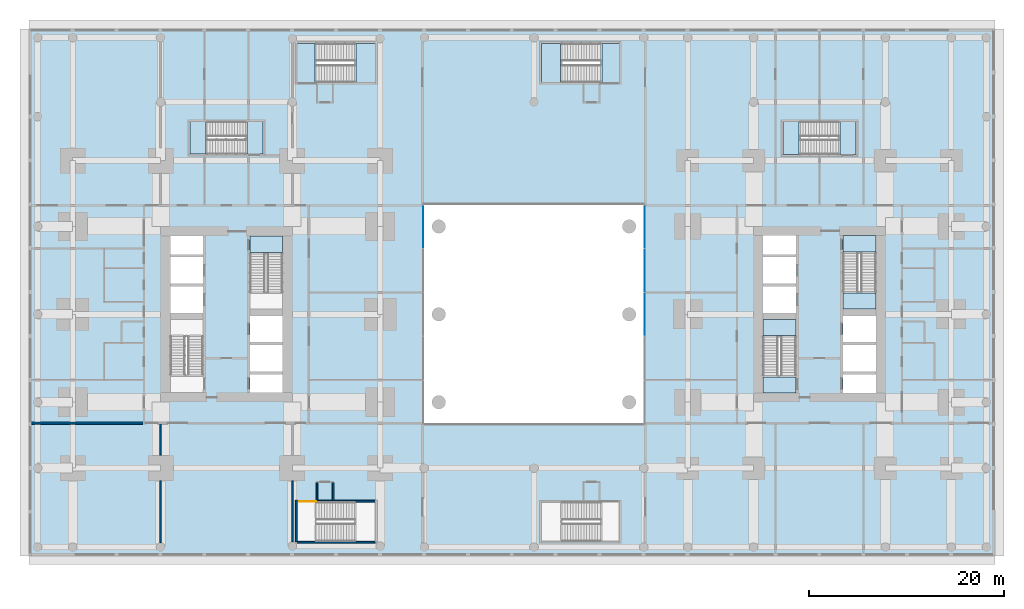
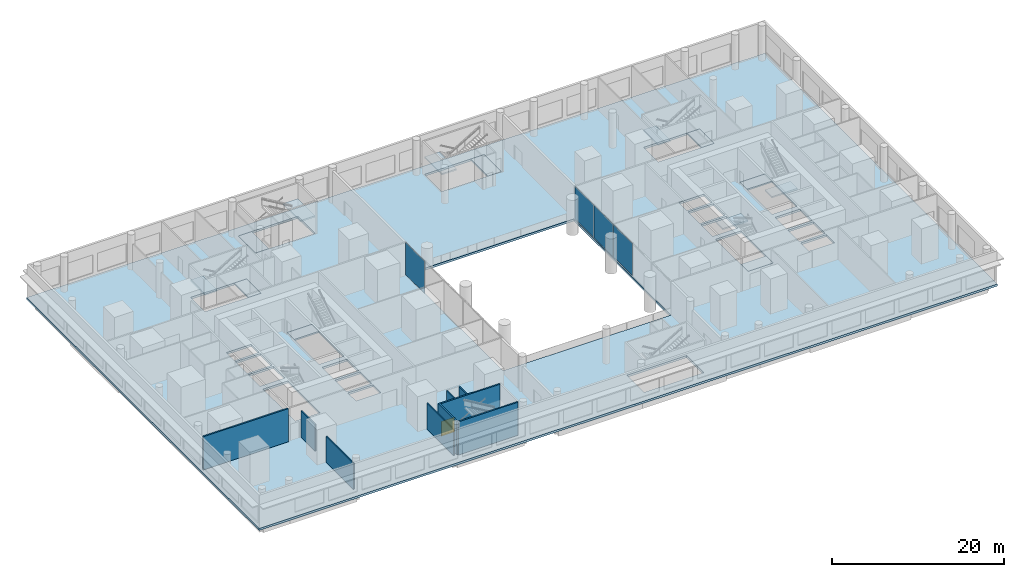
# One storey, part 8 of 21: 14 slabs, 9 walls, 4 plates, 1 door, 1 opening, 9 elements without a shape of their own.
"""IFC4 building model written with IfcOpenShell, lengths in metres."""

from ifc_helpers import new_model, si_unit, direction, frame, frame_2d, origin, origin_2d, place, context, subcontext, project, spatial, polyline, rectangle, outline, extrude, material, layer, layer_set, type_object, element, fill, aggregate, save


model = new_model("IFC4")

# Units and contexts
model_context = context("Model", 3, precision=1e-05, world=origin(), true_north=direction((0.0, 1.0)))
body_context = subcontext(model_context, "Body", "Model", "MODEL_VIEW")
ifc_project = project(units=[si_unit("LENGTHUNIT", "METRE"), si_unit("AREAUNIT", "SQUARE_METRE"), si_unit("VOLUMEUNIT", "CUBIC_METRE"), si_unit("PLANEANGLEUNIT", "RADIAN"), si_unit("MASSUNIT", "GRAM", prefix="KILO")], contexts=[model_context])

# Site, building, storey
site_placement = place(None, origin())
site = spatial("IfcSite", under=ifc_project, at=site_placement, CompositionType="ELEMENT")
building_placement = place(site_placement, origin())
building = spatial("IfcBuilding", under=site, at=building_placement, Name="Namib Vertical Campus", CompositionType="ELEMENT")
storey_placement = place(building_placement, frame((0.0, 0.0, 6.0)))
storey = spatial("IfcBuildingStorey", under=building, at=storey_placement, Name="L01", CompositionType="ELEMENT", Elevation=6.0)

# Curtain wall, plate
ifc_material_1 = material(Name="Black aluminium curtain wall", Category="aluminium")
ifc_layer_1 = layer(ifc_material_1, 0.199951171875)
ifc_layer_set_1 = layer_set([ifc_layer_1], Name="Atrium screen curtain wall CW-AT")
curtain_wall_type = type_object("IfcCurtainWallType", Name="Atrium screen curtain wall CW-AT", PredefinedType="USERDEFINED", material=ifc_layer_set_1)
curtain_wall_1_placement = place(storey_placement, origin())
curtain_wall_1 = element("IfcCurtainWall", 1, at=curtain_wall_1_placement, inside=storey, type_object=curtain_wall_type, Name="Curtain wall CW-AT atrium A L01 1", ObjectType="CURTAIN WALL", PredefinedType="USERDEFINED")
ifc_material_2 = material(Name="Dark tinted glass", Category="glass")
ifc_layer_2 = layer(ifc_material_2, 0.028076171875)
ifc_layer_set_2 = layer_set([ifc_layer_2], Name="Dark solar glass panel 28")
plate_type = type_object("IfcPlateType", Name="Dark solar glass panel 28", PredefinedType="CURTAIN_PANEL", material=ifc_layer_set_2)
plate_1_placement = place(storey_placement, frame((40.39990234375, 29.235107421875, 0.06005859375), z_axis=(0.0, 0.0, 1.0), x_axis=(0.0, 1.0, 0.0)))
plate_1 = element("IfcPlate", 2, at=plate_1_placement, type_object=plate_type, Name="CW-AT panel 5.1", PredefinedType="CURTAIN_PANEL", context=body_context, shape_type="SweptSolid", body=[
    extrude(rectangle(XDim=4.409912109375, YDim=0.028076171875, at=origin_2d()), origin(), (0.0, 0.0, 1.0), 4.580078125),
])
aggregate(curtain_wall_1, [plate_1])

# Curtain wall, plates
curtain_wall_2_placement = place(storey_placement, origin())
curtain_wall_2 = element("IfcCurtainWall", 3, at=curtain_wall_2_placement, inside=storey, type_object=curtain_wall_type, Name="Curtain wall CW-AT atrium B L01 1", ObjectType="CURTAIN WALL", PredefinedType="USERDEFINED")
plate_2_placement = place(storey_placement, frame((63.10009765625, 20.25, 0.06005859375), z_axis=(0.0, 0.0, 1.0), x_axis=(0.0, 1.0, 0.0)))
plate_2 = element("IfcPlate", 4, at=plate_2_placement, type_object=plate_type, Name="CW-AT panel 3.1", PredefinedType="CURTAIN_PANEL", context=body_context, shape_type="SweptSolid", body=[
    extrude(rectangle(XDim=4.43994140625, YDim=0.028076171875, at=origin_2d()), origin(), (0.0, 0.0, 1.0), 4.580078125),
])
plate_3_placement = place(storey_placement, frame((63.10009765625, 24.75, 0.06005859375), z_axis=(0.0, 0.0, 1.0), x_axis=(0.0, 1.0, 0.0)))
plate_3 = element("IfcPlate", 5, at=plate_3_placement, type_object=plate_type, Name="CW-AT panel 4.1", PredefinedType="CURTAIN_PANEL", context=body_context, shape_type="SweptSolid", body=[
    extrude(rectangle(XDim=4.43994140625, YDim=0.028076171875, at=origin_2d()), origin(), (0.0, 0.0, 1.0), 4.580078125),
])
plate_4_placement = place(storey_placement, frame((63.10009765625, 29.235107421875, 0.06005859375), z_axis=(0.0, 0.0, 1.0), x_axis=(0.0, 1.0, 0.0)))
plate_4 = element("IfcPlate", 6, at=plate_4_placement, type_object=plate_type, Name="CW-AT panel 5.1", PredefinedType="CURTAIN_PANEL", context=body_context, shape_type="SweptSolid", body=[
    extrude(rectangle(XDim=4.409912109375, YDim=0.028076171875, at=origin_2d()), origin(), (0.0, 0.0, 1.0), 4.580078125),
])
aggregate(curtain_wall_2, [plate_2, plate_3, plate_4])

# Slab
ifc_material_3 = material(Name="Concrete C40/50", Category="concrete")
ifc_layer_3 = layer(ifc_material_3, 0.300048828125)
ifc_layer_set_3 = layer_set([ifc_layer_3], Name="Concrete C40/50")
slab_type_1 = type_object("IfcSlabType", Name="Floor slab 300", PredefinedType="FLOOR", material=ifc_layer_set_3)
slab_1_placement = place(storey_placement, frame((0.0, 0.0, -0.300048828125)))
element("IfcSlab", 7, at=slab_1_placement, inside=storey, type_object=slab_type_1, Name="Floor slab L01", PredefinedType="FLOOR", context=body_context, shape_type="SweptSolid", body=[
    extrude(outline(polyline([(0.0, -4.5), (99.0, -4.5), (99.0, 49.5), (0.0, 49.5), (0.0, -4.5)]), holes=[polyline([(86.800048828125, 20.800048828125), (83.39990234375, 20.800048828125), (83.39990234375, 28.300048828125), (86.800048828125, 28.300048828125), (86.800048828125, 20.800048828125)]), polyline([(86.800048828125, 17.39990234375), (83.39990234375, 17.39990234375), (83.39990234375, 20.10009765625), (86.800048828125, 20.10009765625), (86.800048828125, 17.39990234375)]), polyline([(86.800048828125, 17.10009765625), (86.800048828125, 14.39990234375), (83.39990234375, 14.39990234375), (83.39990234375, 17.10009765625), (86.800048828125, 17.10009765625)]), polyline([(86.800048828125, 12.199951171875), (83.39990234375, 12.199951171875), (83.39990234375, 14.10009765625), (86.800048828125, 14.10009765625), (86.800048828125, 12.199951171875)]), polyline([(84.75, 36.60009765625), (77.25, 36.60009765625), (77.25, 40.0), (84.75, 40.0), (84.75, 36.60009765625)]), polyline([(78.60009765625, 28.300048828125), (78.60009765625, 26.39990234375), (75.199951171875, 26.39990234375), (75.199951171875, 28.300048828125), (78.60009765625, 28.300048828125)]), polyline([(78.60009765625, 23.39990234375), (75.199951171875, 23.39990234375), (75.199951171875, 26.10009765625), (78.60009765625, 26.10009765625), (78.60009765625, 23.39990234375)]), polyline([(78.60009765625, 23.10009765625), (78.60009765625, 20.39990234375), (75.199951171875, 20.39990234375), (75.199951171875, 23.10009765625), (78.60009765625, 23.10009765625)]), polyline([(78.60009765625, 12.199951171875), (75.199951171875, 12.199951171875), (75.199951171875, 19.699951171875), (78.60009765625, 19.699951171875), (78.60009765625, 12.199951171875)]), polyline([(63.0, 31.5), (63.0, 9.0), (40.5, 9.0), (40.5, 31.5), (63.0, 31.5)]), polyline([(60.5, -3.0), (52.5, -3.0), (52.5, 1.0), (60.5, 1.0), (60.5, -3.0)]), polyline([(60.5, 44.0), (52.5, 44.0), (52.5, 48.0), (60.5, 48.0), (60.5, 44.0)]), polyline([(35.5, 48.0), (35.5, 44.0), (27.5, 44.0), (27.5, 48.0), (35.5, 48.0)]), polyline([(35.5, 1.0), (35.5, -3.0), (27.5, -3.0), (27.5, 1.0), (35.5, 1.0)]), polyline([(26.0, 20.800048828125), (22.64990234375, 20.800048828125), (22.64990234375, 28.25), (26.0, 28.25), (26.0, 20.800048828125)]), polyline([(26.0, 17.39990234375), (22.64990234375, 17.39990234375), (22.64990234375, 20.10009765625), (26.0, 20.10009765625), (26.0, 17.39990234375)]), polyline([(26.0, 17.10009765625), (26.0, 14.39990234375), (22.64990234375, 14.39990234375), (22.64990234375, 17.10009765625), (26.0, 17.10009765625)]), polyline([(26.0, 14.10009765625), (26.0, 12.25), (22.64990234375, 12.25), (22.64990234375, 14.10009765625), (26.0, 14.10009765625)]), polyline([(24.0, 36.64990234375), (16.5, 36.64990234375), (16.5, 40.0), (24.0, 40.0), (24.0, 36.64990234375)]), polyline([(17.85009765625, 26.39990234375), (14.5, 26.39990234375), (14.5, 28.25), (17.85009765625, 28.25), (17.85009765625, 26.39990234375)]), polyline([(17.85009765625, 26.10009765625), (17.85009765625, 23.39990234375), (14.5, 23.39990234375), (14.5, 26.10009765625), (17.85009765625, 26.10009765625)]), polyline([(17.85009765625, 20.39990234375), (14.5, 20.39990234375), (14.5, 23.10009765625), (17.85009765625, 23.10009765625), (17.85009765625, 20.39990234375)]), polyline([(17.85009765625, 12.25), (14.5, 12.25), (14.5, 19.699951171875), (17.85009765625, 19.699951171875), (17.85009765625, 12.25)])]), origin(), (0.0, 0.0, 1.0), 0.300048828125),
])

# Stair, slab
ifc_material_4 = material(Name="Concrete C40/50 precast", Category="concrete")
stair_type_1 = type_object("IfcStairType", Name="Exit stair 5000 rise 30 risers 3350 wide", PredefinedType="HALF_TURN_STAIR", material=ifc_material_4)
stair_1_placement = place(storey_placement, origin())
stair_1 = element("IfcStair", 8, at=stair_1_placement, inside=storey, type_object=stair_type_1, Name="Exit stair A-S2 L01", PredefinedType="HALF_TURN_STAIR")
ifc_material_5 = material(Name="Concrete C40/50", Category="concrete")
ifc_layer_4 = layer(ifc_material_5, 0.199951171875)
ifc_layer_set_4 = layer_set([ifc_layer_4], Name="Concrete C40/50")
slab_type_2 = type_object("IfcSlabType", Name="Stair landing 200", PredefinedType="LANDING", material=ifc_layer_set_4)
slab_2_placement = place(storey_placement, frame((0.0, 0.0, -0.199951171875)))
slab_2 = element("IfcSlab", 9, at=slab_2_placement, type_object=slab_type_2, Name="A-S2 landing 1", PredefinedType="LANDING", context=body_context, shape_type="SweptSolid", body=[
    extrude(outline(polyline([(22.64990234375, 26.59619140625), (26.0, 26.59619140625), (26.0, 28.25), (22.64990234375, 28.25), (22.64990234375, 26.59619140625)])), origin(), (0.0, 0.0, 1.0), 0.199951171875),
])
aggregate(stair_1, [slab_2])

# Stair, slabs
ifc_material_6 = material(Name="Concrete C40/50 precast", Category="concrete")
stair_type_2 = type_object("IfcStairType", Name="Exit stair 5000 rise 30 risers 3400 wide", PredefinedType="HALF_TURN_STAIR", material=ifc_material_6)
stair_2_placement = place(storey_placement, origin())
stair_2 = element("IfcStair", 10, at=stair_2_placement, inside=storey, type_object=stair_type_2, Name="Exit stair B-S1 L01", PredefinedType="HALF_TURN_STAIR")
slab_3_placement = place(storey_placement, frame((0.0, 0.0, -0.199951171875)))
slab_3 = element("IfcSlab", 11, at=slab_3_placement, type_object=slab_type_2, Name="B-S1 landing 1", PredefinedType="LANDING", context=body_context, shape_type="SweptSolid", body=[
    extrude(outline(polyline([(75.199951171875, 12.199951171875), (78.60009765625, 12.199951171875), (78.60009765625, 13.85400390625), (75.199951171875, 13.85400390625), (75.199951171875, 12.199951171875)])), origin(), (0.0, 0.0, 1.0), 0.199951171875),
])
slab_4_placement = place(storey_placement, frame((0.0, 0.0, 2.300048828125)))
slab_4 = element("IfcSlab", 12, at=slab_4_placement, type_object=slab_type_2, Name="B-S1 landing 2", PredefinedType="LANDING", context=body_context, shape_type="SweptSolid", body=[
    extrude(outline(polyline([(75.199951171875, 18.066162109375), (78.60009765625, 18.066162109375), (78.60009765625, 19.699951171875), (75.199951171875, 19.699951171875), (75.199951171875, 18.066162109375)])), origin(), (0.0, 0.0, 1.0), 0.199951171875),
])
aggregate(stair_2, [slab_3, slab_4])

stair_3_placement = place(storey_placement, origin())
stair_3 = element("IfcStair", 13, at=stair_3_placement, inside=storey, type_object=stair_type_2, Name="Exit stair B-S2 L01", PredefinedType="HALF_TURN_STAIR")
slab_5_placement = place(storey_placement, frame((0.0, 0.0, -0.199951171875)))
slab_5 = element("IfcSlab", 14, at=slab_5_placement, type_object=slab_type_2, Name="B-S2 landing 1", PredefinedType="LANDING", context=body_context, shape_type="SweptSolid", body=[
    extrude(outline(polyline([(83.39990234375, 26.64599609375), (86.800048828125, 26.64599609375), (86.800048828125, 28.300048828125), (83.39990234375, 28.300048828125), (83.39990234375, 26.64599609375)])), origin(), (0.0, 0.0, 1.0), 0.199951171875),
])
slab_6_placement = place(storey_placement, frame((0.0, 0.0, 2.300048828125)))
slab_6 = element("IfcSlab", 15, at=slab_6_placement, type_object=slab_type_2, Name="B-S2 landing 2", PredefinedType="LANDING", context=body_context, shape_type="SweptSolid", body=[
    extrude(outline(polyline([(83.39990234375, 20.800048828125), (86.800048828125, 20.800048828125), (86.800048828125, 22.433837890625), (83.39990234375, 22.433837890625), (83.39990234375, 20.800048828125)])), origin(), (0.0, 0.0, 1.0), 0.199951171875),
])
aggregate(stair_3, [slab_5, slab_6])

ifc_material_7 = material(Name="Concrete C40/50 precast", Category="concrete")
stair_type_3 = type_object("IfcStairType", Name="Podium exit stair 5000 rise 30 risers 1800 flights", PredefinedType="HALF_TURN_STAIR", material=ifc_material_7)
stair_4_placement = place(storey_placement, origin())
stair_4 = element("IfcStair", 16, at=stair_4_placement, inside=storey, type_object=stair_type_3, Name="Exit stair P-S1 L01", PredefinedType="HALF_TURN_STAIR")
slab_7_placement = place(storey_placement, frame((0.0, 0.0, -0.199951171875)))
slab_7 = element("IfcSlab", 17, at=slab_7_placement, type_object=slab_type_2, Name="P-S1 landing 1", PredefinedType="LANDING", context=body_context, shape_type="SweptSolid", body=[
    extrude(outline(polyline([(27.5, 44.0), (27.5, 48.0), (29.300048828125, 48.0), (29.300048828125, 44.0), (27.5, 44.0)])), origin(), (0.0, 0.0, 1.0), 0.199951171875),
])
slab_8_placement = place(storey_placement, frame((0.0, 0.0, 2.300048828125)))
slab_8 = element("IfcSlab", 18, at=slab_8_placement, type_object=slab_type_2, Name="P-S1 landing 2", PredefinedType="LANDING", context=body_context, shape_type="SweptSolid", body=[
    extrude(outline(polyline([(33.51220703125, 44.0), (33.51220703125, 48.0), (35.5, 48.0), (35.5, 44.0), (33.51220703125, 44.0)])), origin(), (0.0, 0.0, 1.0), 0.199951171875),
])
aggregate(stair_4, [slab_7, slab_8])

stair_5_placement = place(storey_placement, origin())
stair_5 = element("IfcStair", 19, at=stair_5_placement, inside=storey, type_object=stair_type_3, Name="Exit stair P-S3 L01", PredefinedType="HALF_TURN_STAIR")
slab_9_placement = place(storey_placement, frame((0.0, 0.0, -0.199951171875)))
slab_9 = element("IfcSlab", 20, at=slab_9_placement, type_object=slab_type_2, Name="P-S3 landing 1", PredefinedType="LANDING", context=body_context, shape_type="SweptSolid", body=[
    extrude(outline(polyline([(58.699951171875, 44.0), (58.699951171875, 48.0), (60.5, 48.0), (60.5, 44.0), (58.699951171875, 44.0)])), origin(), (0.0, 0.0, 1.0), 0.199951171875),
])
slab_10_placement = place(storey_placement, frame((0.0, 0.0, 2.300048828125)))
slab_10 = element("IfcSlab", 21, at=slab_10_placement, type_object=slab_type_2, Name="P-S3 landing 2", PredefinedType="LANDING", context=body_context, shape_type="SweptSolid", body=[
    extrude(outline(polyline([(52.5, 44.0), (52.5, 48.0), (54.48779296875, 48.0), (54.48779296875, 44.0), (52.5, 44.0)])), origin(), (0.0, 0.0, 1.0), 0.199951171875),
])
aggregate(stair_5, [slab_9, slab_10])

stair_6_placement = place(storey_placement, origin())
stair_6 = element("IfcStair", 22, at=stair_6_placement, inside=storey, type_object=stair_type_1, Name="Exit stair A-S3 L01", PredefinedType="HALF_TURN_STAIR")
slab_11_placement = place(storey_placement, frame((0.0, 0.0, -0.199951171875)))
slab_11 = element("IfcSlab", 23, at=slab_11_placement, type_object=slab_type_2, Name="A-S3 landing 1", PredefinedType="LANDING", context=body_context, shape_type="SweptSolid", body=[
    extrude(outline(polyline([(22.34619140625, 36.64990234375), (22.34619140625, 40.0), (24.0, 40.0), (24.0, 36.64990234375), (22.34619140625, 36.64990234375)])), origin(), (0.0, 0.0, 1.0), 0.199951171875),
])
slab_12_placement = place(storey_placement, frame((0.0, 0.0, 2.300048828125)))
slab_12 = element("IfcSlab", 24, at=slab_12_placement, type_object=slab_type_2, Name="A-S3 landing 2", PredefinedType="LANDING", context=body_context, shape_type="SweptSolid", body=[
    extrude(outline(polyline([(16.5, 36.64990234375), (16.5, 40.0), (18.1337890625, 40.0), (18.1337890625, 36.64990234375), (16.5, 36.64990234375)])), origin(), (0.0, 0.0, 1.0), 0.199951171875),
])
aggregate(stair_6, [slab_11, slab_12])

stair_7_placement = place(storey_placement, origin())
stair_7 = element("IfcStair", 25, at=stair_7_placement, inside=storey, type_object=stair_type_2, Name="Exit stair B-S3 L01", PredefinedType="HALF_TURN_STAIR")
slab_13_placement = place(storey_placement, frame((0.0, 0.0, -0.199951171875)))
slab_13 = element("IfcSlab", 26, at=slab_13_placement, type_object=slab_type_2, Name="B-S3 landing 1", PredefinedType="LANDING", context=body_context, shape_type="SweptSolid", body=[
    extrude(outline(polyline([(83.09619140625, 36.60009765625), (83.09619140625, 40.0), (84.75, 40.0), (84.75, 36.60009765625), (83.09619140625, 36.60009765625)])), origin(), (0.0, 0.0, 1.0), 0.199951171875),
])
slab_14_placement = place(storey_placement, frame((0.0, 0.0, 2.300048828125)))
slab_14 = element("IfcSlab", 27, at=slab_14_placement, type_object=slab_type_2, Name="B-S3 landing 2", PredefinedType="LANDING", context=body_context, shape_type="SweptSolid", body=[
    extrude(outline(polyline([(77.25, 36.60009765625), (77.25, 40.0), (78.8837890625, 40.0), (78.8837890625, 36.60009765625), (77.25, 36.60009765625)])), origin(), (0.0, 0.0, 1.0), 0.199951171875),
])
aggregate(stair_7, [slab_13, slab_14])

# Walls
ifc_material_8 = material(Name="Concrete masonry", Category="masonry")
ifc_layer_5 = layer(ifc_material_8, 0.199951171875)
ifc_layer_set_5 = layer_set([ifc_layer_5], Name="Corridor wall 200")
wall_type_1 = type_object("IfcWallType", Name="Corridor wall 200", PredefinedType="SOLIDWALL", material=ifc_layer_set_5)
wall_1_placement = place(storey_placement, frame((0.300048828125, 9.10009765625, 0.0), z_axis=(0.0, 0.0, 1.0), x_axis=(1.0, 0.0, 0.0)))
element("IfcWall", 28, at=wall_1_placement, inside=storey, type_object=wall_type_1, Name="Partition A L01 BSW", PredefinedType="SOLIDWALL", context=body_context, shape_type="SweptSolid", body=[
    extrude(rectangle(XDim=11.39990234375, YDim=0.199951171875, at=frame_2d((5.699951171875, 0.0))), origin(), (0.0, 0.0, 1.0), 4.699951171875),
])
ifc_material_9 = material(Name="Gypsum board on steel studs", Category="steel")
ifc_layer_6 = layer(ifc_material_9, 0.14990234375)
ifc_layer_set_6 = layer_set([ifc_layer_6], Name="Gypsum board on steel studs")
wall_type_2 = type_object("IfcWallType", Name="Partition 150", PredefinedType="PARTITIONING", material=ifc_layer_set_6)
wall_2_placement = place(storey_placement, frame((13.5, -3.1298828125, 0.0), z_axis=(0.0, 0.0, 1.0), x_axis=(0.0, 1.0, 0.0)))
element("IfcWall", 29, at=wall_2_placement, inside=storey, type_object=wall_type_2, Name="Partition A L01 PS1", PredefinedType="PARTITIONING", context=body_context, shape_type="SweptSolid", body=[
    extrude(rectangle(XDim=6.309814453125, YDim=0.14990234375, at=frame_2d((3.15478515625, 0.0))), origin(), (0.0, 0.0, 1.0), 3.699951171875),
])
wall_3_placement = place(storey_placement, frame((13.5, 5.820068359375, 0.0), z_axis=(0.0, 0.0, 1.0), x_axis=(0.0, 1.0, 0.0)))
element("IfcWall", 30, at=wall_3_placement, inside=storey, type_object=wall_type_2, Name="Partition A L01 PS1", PredefinedType="PARTITIONING", context=body_context, shape_type="SweptSolid", body=[
    extrude(rectangle(XDim=3.179931640625, YDim=0.14990234375, at=frame_2d((1.58984375, 0.0))), origin(), (0.0, 0.0, 1.0), 3.800048828125),
])
wall_4_placement = place(storey_placement, frame((27.0, -3.030029296875, 0.0), z_axis=(0.0, 0.0, 1.0), x_axis=(0.0, 1.0, 0.0)))
element("IfcWall", 31, at=wall_4_placement, inside=storey, type_object=wall_type_2, Name="Partition A L01 PS2", PredefinedType="PARTITIONING", context=body_context, shape_type="SweptSolid", body=[
    extrude(rectangle(XDim=6.2099609375, YDim=0.14990234375, at=frame_2d((3.10498046875, 0.0))), origin(), (0.0, 0.0, 1.0), 3.699951171875),
])
for number, where, z_axis, x_axis, name in (
    (32, (31.175048828125, 1.199951171875, 0.0), (0.0, 0.0, 1.0), (0.0, 1.0, 0.0), "Refuge cell partition P-S2 L01"),
    (33, (29.52490234375, 1.199951171875, 0.0), (0.0, 0.0, 1.0), (0.0, 1.0, 0.0), "Refuge cell partition P-S2 L01"),
):
    element("IfcWall", number, at=place(storey_placement, frame(where, z_axis=z_axis, x_axis=x_axis)), inside=storey, type_object=wall_type_2, Name=name, PredefinedType="PARTITIONING", context=body_context, shape_type="SweptSolid", body=[
        extrude(rectangle(XDim=1.800048828125, YDim=0.14990234375, at=frame_2d((0.89990234375, 0.0))), origin(), (0.0, 0.0, 1.0), 4.699951171875),
    ])

# Wall, opening, door
ifc_material_10 = material(Name="Concrete C40/50", Category="concrete")
ifc_layer_7 = layer(ifc_material_10, 0.199951171875)
ifc_layer_set_7 = layer_set([ifc_layer_7], Name="Concrete C40/50")
wall_type_3 = type_object("IfcWallType", Name="Stair enclosure wall RC 200", PredefinedType="SOLIDWALL", material=ifc_layer_set_7)
wall_5_placement = place(storey_placement, frame((27.5, 1.10009765625, 0.0), z_axis=(0.0, 0.0, 1.0), x_axis=(1.0, 0.0, 0.0)))
wall_5 = element("IfcWall", 34, at=wall_5_placement, inside=storey, type_object=wall_type_3, Name="Stair enclosure wall P-S2 L01 room side", PredefinedType="SOLIDWALL", context=body_context, shape_type="SweptSolid", body=[
    extrude(rectangle(XDim=8.0, YDim=0.199951171875, at=frame_2d((4.0, 0.0))), origin(), (0.0, 0.0, 1.0), 4.699951171875),
])
opening_placement = place(wall_5_placement, frame((0.14990234375, 0.0, 0.0)))
opening = element("IfcOpeningElement", 35, at=opening_placement, cuts=wall_5, Name="Opening FD2", PredefinedType="OPENING", context=body_context, shape_type="SweptSolid", body=[
    extrude(rectangle(XDim=1.800048828125, YDim=2.10009765625, at=frame_2d((0.89990234375, 1.050048828125))), frame((0.0, 0.10986328125, 0.0), z_axis=(0.0, -1.0, 0.0), x_axis=(1.0, 0.0, 0.0)), (0.0, 0.0, 1.0), 0.219970703125),
])
ifc_material_11 = material(Name="Steel fire door", Category="steel")
door_type = type_object("IfcDoorType", Name="Fire door double 1800x2100", OperationType="DOUBLE_DOOR_SINGLE_SWING", PredefinedType="DOOR", material=ifc_material_11)
door_placement = place(opening_placement, frame((1.800048828125, 0.0, 0.0), z_axis=(0.0, 0.0, 1.0), x_axis=(-1.0, 0.0, 0.0)))
door = element("IfcDoor", 36, at=door_placement, inside=storey, type_object=door_type, Name="Stair door FD2 P-S2 L01", OperationType="DOUBLE_DOOR_SINGLE_SWING", OverallHeight=2.10009765625, OverallWidth=1.800048828125, PredefinedType="DOOR", context=body_context, shape_type="SweptSolid", body=[
    extrude(rectangle(XDim=1.800048828125, YDim=2.10009765625, at=frame_2d((0.89990234375, 1.050048828125))), frame((0.0, 0.02490234375, 0.0), z_axis=(0.0, -1.0, 0.0), x_axis=(1.0, 0.0, 0.0)), (0.0, 0.0, 1.0), 0.050048828125),
])
fill(opening, door)

# Walls
wall_6_placement = place(storey_placement, frame((27.5, -3.10009765625, 0.0), z_axis=(0.0, 0.0, 1.0), x_axis=(1.0, 0.0, 0.0)))
element("IfcWall", 37, at=wall_6_placement, inside=storey, type_object=wall_type_3, Name="Stair enclosure wall P-S2 L01 facade side", PredefinedType="SOLIDWALL", context=body_context, shape_type="SweptSolid", body=[
    extrude(rectangle(XDim=8.0, YDim=0.199951171875, at=frame_2d((4.0, 0.0))), origin(), (0.0, 0.0, 1.0), 4.699951171875),
])
wall_7_placement = place(storey_placement, frame((27.39990234375, -3.030029296875, 0.0), z_axis=(0.0, 0.0, 1.0), x_axis=(0.0, 1.0, 0.0)))
element("IfcWall", 38, at=wall_7_placement, inside=storey, type_object=wall_type_3, Name="Stair enclosure wall P-S2 L01 W", PredefinedType="SOLIDWALL", context=body_context, shape_type="SweptSolid", body=[
    extrude(rectangle(XDim=4.22998046875, YDim=0.199951171875, at=frame_2d((2.114990234375, 0.0))), origin(), (0.0, 0.0, 1.0), 4.699951171875),
])

save(model, "model.ifc")
